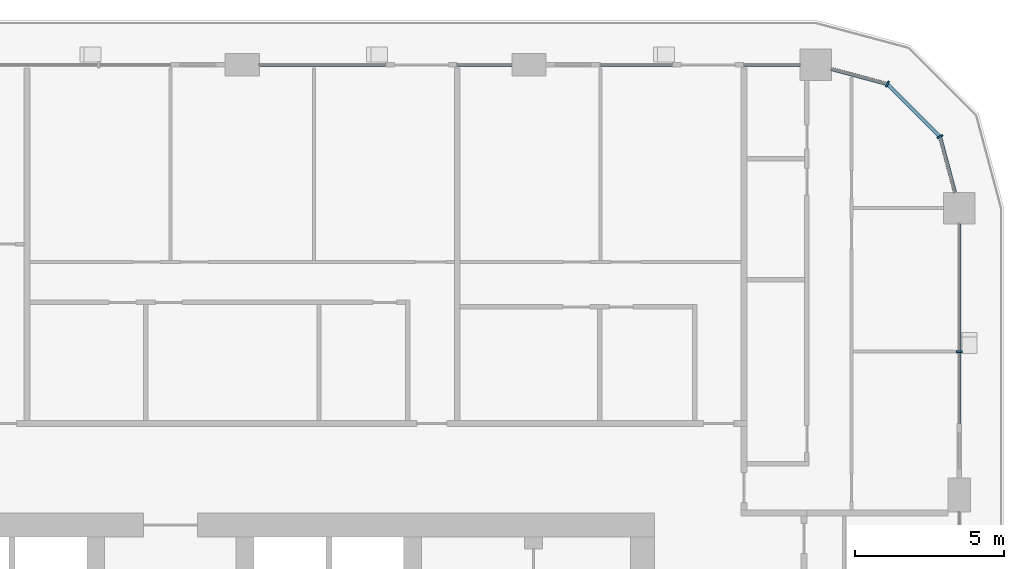
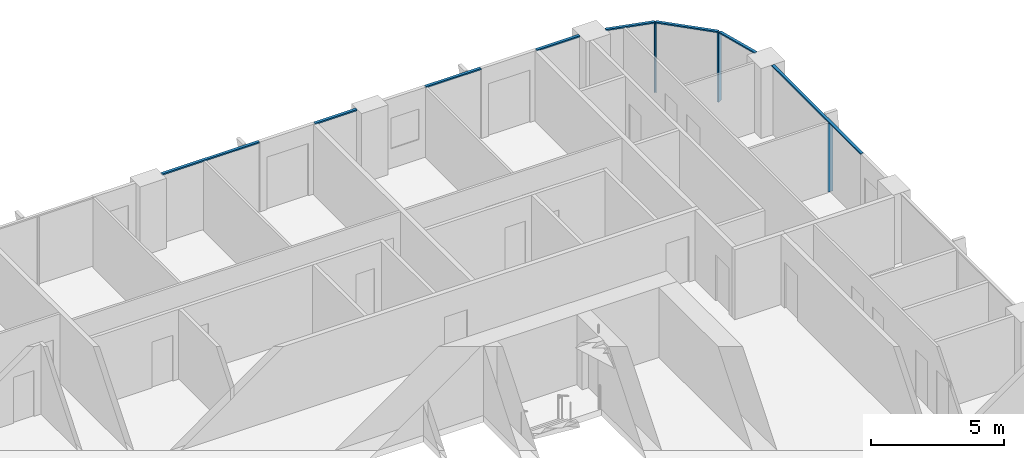
# One storey, part 6 of 22: 11 members, 4 elements without a shape of their own.
"""IFC4 building model written with IfcOpenShell, lengths in metres."""

import ifcopenshell
import ifcopenshell.guid

model = None  # the IFC model being written
_history = None  # IfcOwnerHistory: only IFC2X3 demands one
_inside = {}  # id of a spatial element -> (the spatial element, [elements in it])
_under = {}  # id of a project, library or spatial element -> (it, [spatial elements below it])
_declared = {}  # id of a project -> (the project, [libraries it declares])
_typed = {}  # id of a type object -> (the type object, [elements of that type])
_made_of = {}  # id of a material, layer set ... -> (it, [elements and type objects made of it])


def new_model(schema):
    """Start an empty IFC model of exactly this schema.

    Asked for "IFC4X3", IfcOpenShell would pick the latest addendum, in which some entities
    have other attributes; the version numbers below select the first issue.
    IFC2X3 requires an IfcOwnerHistory on every rooted entity: one is made here for all.
    """
    global model, _history
    if schema == "IFC4X3":
        model = ifcopenshell.file(schema_version=(4, 3, 0, 0))
    else:
        model = ifcopenshell.file(schema=schema)
    _inside.clear()
    _under.clear()
    _declared.clear()
    _typed.clear()
    _made_of.clear()
    _history = None
    if model.schema == "IFC2X3":
        org = make("IfcOrganization", Name="unknown")
        user = make(
            "IfcPersonAndOrganization",
            ThePerson=make("IfcPerson", FamilyName="unknown"),
            TheOrganization=org,
        )
        app = make(
            "IfcApplication",
            ApplicationDeveloper=org,
            Version="unknown",
            ApplicationFullName="unknown",
            ApplicationIdentifier="unknown",
        )
        _history = make(
            "IfcOwnerHistory",
            OwningUser=user,
            OwningApplication=app,
            ChangeAction="ADDED",
            CreationDate=0,
        )
    return model


def make(cls, **values):
    """One entity of the class cls with the attributes given. An attribute that is None is left unset."""
    return model.create_entity(
        cls, **{name: value for name, value in values.items() if value is not None}
    )


def rooted(cls, **values):
    """An entity with a GlobalId (a new one), such as an element, a storey or a relation."""
    return make(cls, GlobalId=ifcopenshell.guid.new(), OwnerHistory=_history, **values)


def si_unit(unit_type, name, prefix=None):
    """IfcSIUnit, for example si_unit("LENGTHUNIT", "METRE", prefix="MILLI")."""
    return make("IfcSIUnit", UnitType=unit_type, Prefix=prefix, Name=name)


def assignment(units):
    """IfcUnitAssignment: the units of a project."""
    return None if units is None else make("IfcUnitAssignment", Units=units)


def point(xyz):
    """IfcCartesianPoint."""
    return None if xyz is None else make("IfcCartesianPoint", Coordinates=xyz)


def direction(xyz):
    """IfcDirection."""
    return None if xyz is None else make("IfcDirection", DirectionRatios=xyz)


def frame(location, z_axis=None, x_axis=None):
    """IfcAxis2Placement3D, a coordinate frame: its origin and axes. An axis left out is left unset."""
    return make(
        "IfcAxis2Placement3D",
        Location=point(location),
        Axis=direction(z_axis),
        RefDirection=direction(x_axis),
    )


def frame_2d(location, x_axis=None):
    """IfcAxis2Placement2D, a coordinate frame in the plane: its origin and x axis."""
    return make(
        "IfcAxis2Placement2D", Location=point(location), RefDirection=direction(x_axis)
    )


def origin():
    """The frame at (0, 0, 0) with its axes left unset."""
    return frame((0.0, 0.0, 0.0))


def origin_2d():
    """The frame at (0, 0) in the plane with its x axis left unset."""
    return frame_2d((0.0, 0.0))


def place(relative_to, where):
    """IfcLocalPlacement: puts the frame where relative to a parent placement (None: the world)."""
    return make(
        "IfcLocalPlacement", PlacementRelTo=relative_to, RelativePlacement=where
    )


def context(
    kind, dimensions, precision=None, world=None, true_north=None, identifier=None
):
    """IfcGeometricRepresentationContext, for example the 3D "Model" context."""
    return make(
        "IfcGeometricRepresentationContext",
        ContextIdentifier=identifier,
        ContextType=kind,
        CoordinateSpaceDimension=dimensions,
        Precision=precision,
        WorldCoordinateSystem=world,
        TrueNorth=true_north,
    )


def subcontext(parent, identifier, kind, view, scale=None):
    """IfcGeometricRepresentationSubContext, for example "Body" below "Model"."""
    return make(
        "IfcGeometricRepresentationSubContext",
        ContextIdentifier=identifier,
        ContextType=kind,
        ParentContext=parent,
        TargetScale=scale,
        TargetView=view,
    )


def project(units=None, contexts=None):
    """IfcProject with its units and contexts."""
    return rooted(
        "IfcProject",
        Name="project",
        RepresentationContexts=contexts,
        UnitsInContext=assignment(units),
    )


def spatial(cls, under=None, at=None, **own):
    """A site, building, storey or space (cls), placed at a placement, below another one or the project."""
    s = rooted(cls, ObjectPlacement=at, **own)
    if under is not None:
        _under.setdefault(under.id(), (under, []))[1].append(s)
    return s


def profile(cls, at=None, kind="AREA", **sizes):
    """A parametric profile (cls). Its sizes go by their IFC names, for example OverallWidth=200.0."""
    return make(cls, ProfileType=kind, Position=at, **sizes)


def rectangle(**sizes):
    """IfcRectangleProfileDef."""
    return profile("IfcRectangleProfileDef", **sizes)


def extrude(swept, where, along, depth):
    """IfcExtrudedAreaSolid: the profile swept, set in the frame where, extruded along a direction by depth."""
    return make(
        "IfcExtrudedAreaSolid",
        SweptArea=swept,
        Position=where,
        ExtrudedDirection=direction(along),
        Depth=depth,
    )


def shape(context_of_items, identifier, shape_type, items):
    """IfcShapeRepresentation: the items that make up one representation, for example the "Body"."""
    return make(
        "IfcShapeRepresentation",
        ContextOfItems=context_of_items,
        RepresentationIdentifier=identifier,
        RepresentationType=shape_type,
        Items=items,
    )


def material(Name=None, Category=None):
    """IfcMaterial."""
    return make("IfcMaterial", Name=Name, Category=Category)


def layer(
    of_material, thickness, ventilated=None, Name=None, Category=None, Priority=None
):
    """IfcMaterialLayer: one layer of a wall or slab, of a material (None: an air gap)."""
    return make(
        "IfcMaterialLayer",
        Material=of_material,
        LayerThickness=thickness,
        IsVentilated=ventilated,
        Name=Name,
        Category=Category,
        Priority=Priority,
    )


def layer_set(layers, Name=None):
    """IfcMaterialLayerSet."""
    return make("IfcMaterialLayerSet", MaterialLayers=layers, LayerSetName=Name)


def material_profile(
    of_material, cross_section, Name=None, Category=None, Priority=None
):
    """IfcMaterialProfile: a cross section and its material."""
    return make(
        "IfcMaterialProfile",
        Name=Name,
        Material=of_material,
        Profile=cross_section,
        Priority=Priority,
        Category=Category,
    )


def profile_set(profiles, Name=None, composite=None):
    """IfcMaterialProfileSet."""
    return make(
        "IfcMaterialProfileSet",
        Name=Name,
        MaterialProfiles=profiles,
        CompositeProfile=composite,
    )


def made_of(thing, what):
    """Note that an element or type object is made of a material, layer set ...; save() writes the relation."""
    if what is not None:
        _made_of.setdefault(what.id(), (what, []))[1].append(thing)
    return thing


def type_object(cls, material=None, **own):
    """A type object (cls), such as IfcWallType, which elements share."""
    return made_of(rooted(cls, **own), material)


def element(
    cls,
    number,
    at=None,
    inside=None,
    cuts=None,
    type_object=None,
    material=None,
    context=None,
    identifier="Body",
    shape_type=None,
    held_by="IfcProductDefinitionShape",
    body=None,
    shapes=None,
    **own,
):
    """One element of the class cls, such as IfcWall. Its Tag is "e" and its number.

    at: its placement. inside: the storey or other place that contains it. cuts: it is an
    opening in that element (IfcRelVoidsElement). A single representation is given by context,
    identifier, shape_type and body (its items); several are given by shapes. held_by: the class
    of the entity that holds the representations. save() writes the other relations.
    """
    e = rooted(cls, Tag="e%d" % number, ObjectPlacement=at, **own)
    if body is not None:
        shapes = [shape(context, identifier, shape_type, body)]
    if shapes is not None:
        e.Representation = make(held_by, Representations=shapes)
    if inside is not None:
        _inside.setdefault(inside.id(), (inside, []))[1].append(e)
    if cuts is not None:
        rooted(
            "IfcRelVoidsElement", RelatingBuildingElement=cuts, RelatedOpeningElement=e
        )
    if type_object is not None:
        _typed.setdefault(type_object.id(), (type_object, []))[1].append(e)
    return made_of(e, material)


def aggregate(whole, parts):
    """IfcRelAggregates: a whole, such as a stair, and the parts it consists of."""
    return rooted("IfcRelAggregates", RelatingObject=whole, RelatedObjects=parts)


def save(model, path):
    """Write the relations noted so far, then the file.

    IfcRelAggregates (storeys below a building ...), IfcRelContainedInSpatialStructure (elements
    in a storey), IfcRelDefinesByType, IfcRelAssociatesMaterial and IfcRelDeclares: one each for
    every whole, place, type object, material and project.
    """
    for whole, parts in _under.values():
        aggregate(whole, parts)
    for where, things in _inside.values():
        rooted(
            "IfcRelContainedInSpatialStructure",
            RelatedElements=things,
            RelatingStructure=where,
        )
    for kind, things in _typed.values():
        rooted("IfcRelDefinesByType", RelatedObjects=things, RelatingType=kind)
    for what, things in _made_of.values():
        rooted("IfcRelAssociatesMaterial", RelatedObjects=things, RelatingMaterial=what)
    for by, libraries in _declared.values():
        rooted("IfcRelDeclares", RelatingContext=by, RelatedDefinitions=libraries)
    model.write(path)


model = new_model("IFC4")

# Units and contexts
model_context = context("Model", 3, precision=1e-05, world=origin(), true_north=direction((0.0, 1.0)))
body_context = subcontext(model_context, "Body", "Model", "MODEL_VIEW")
ifc_project = project(units=[si_unit("LENGTHUNIT", "METRE"), si_unit("AREAUNIT", "SQUARE_METRE"), si_unit("VOLUMEUNIT", "CUBIC_METRE"), si_unit("PLANEANGLEUNIT", "RADIAN"), si_unit("MASSUNIT", "GRAM", prefix="KILO")], contexts=[model_context])

# Site, building, storey
site_placement = place(None, origin())
site = spatial("IfcSite", under=ifc_project, at=site_placement, CompositionType="ELEMENT")
building_placement = place(site_placement, origin())
building = spatial("IfcBuilding", under=site, at=building_placement, Name="Madar Terraces", CompositionType="ELEMENT")
storey_placement = place(building_placement, frame((0.0, 0.0, 122.60009765625)))
storey = spatial("IfcBuildingStorey", under=building, at=storey_placement, Name="L31", CompositionType="ELEMENT", Elevation=122.60009765625)

# Curtain wall, member
ifc_material_1 = material(Name="Glass, ceramic frit dark grey, with black aluminium frame", Category="aluminium")
ifc_layer = layer(ifc_material_1, 0.199951171875)
ifc_layer_set = layer_set([ifc_layer], Name="Facade curtain wall, fritted glass")
curtain_wall_type = type_object("IfcCurtainWallType", Name="Facade curtain wall, fritted glass", PredefinedType="NOTDEFINED", material=ifc_layer_set)
curtain_wall_1_placement = place(storey_placement, origin())
curtain_wall_1 = element("IfcCurtainWall", 1, at=curtain_wall_1_placement, inside=storey, type_object=curtain_wall_type, Name="Outer skin curtain wall east bay 4", PredefinedType="NOTDEFINED")
ifc_material_2 = material(Name="Aluminium, black anodised", Category="aluminium")
ifc_material_profile_1 = material_profile(ifc_material_2, rectangle(XDim=0.199951171875, YDim=0.06005859375, at=origin_2d()), Name="Facade mullion 60x200")
ifc_profile_set_1 = profile_set([ifc_material_profile_1], Name="Aluminium, black anodised")
member_type_1 = type_object("IfcMemberType", Name="Facade mullion 60x200", PredefinedType="MULLION", material=ifc_profile_set_1)
member_1_placement = place(storey_placement, frame((57.60009765625, 43.199951171875, 0.0), z_axis=(0.0, 0.0, 1.0), x_axis=(-1.0, 0.0, 0.0)))
member_1 = element("IfcMember", 2, at=member_1_placement, type_object=member_type_1, Name="Mullion 1", PredefinedType="MULLION", context=body_context, shape_type="SweptSolid", body=[
    extrude(rectangle(XDim=0.199951171875, YDim=0.06005859375, at=origin_2d()), origin(), (0.0, 0.0, 1.0), 3.139892578125),
])

# Curtain wall, members
curtain_wall_2_placement = place(storey_placement, origin())
curtain_wall_2 = element("IfcCurtainWall", 3, at=curtain_wall_2_placement, inside=storey, type_object=curtain_wall_type, Name="Outer skin curtain wall north-east corner", PredefinedType="NOTDEFINED")
member_2_placement = place(storey_placement, frame((56.95703125, 50.39990234375, 0.0), z_axis=(0.0, 0.0, 1.0), x_axis=(-0.866025409797, -0.499999989586, 0.0)))
member_2 = element("IfcMember", 4, at=member_2_placement, type_object=member_type_1, Name="Mullion 1", PredefinedType="MULLION", context=body_context, shape_type="SweptSolid", body=[
    extrude(rectangle(XDim=0.199951171875, YDim=0.06005859375, at=origin_2d()), origin(), (0.0, 0.0, 1.0), 3.139892578125),
])
member_3_placement = place(storey_placement, frame((55.199951171875, 52.156982421875, 0.0), z_axis=(0.0, 0.0, 1.0), x_axis=(-0.499999989586, -0.866025409797, 0.0)))
member_3 = element("IfcMember", 5, at=member_3_placement, type_object=member_type_1, Name="Mullion 2", PredefinedType="MULLION", context=body_context, shape_type="SweptSolid", body=[
    extrude(rectangle(XDim=0.199951171875, YDim=0.06005859375, at=origin_2d()), origin(), (0.0, 0.0, 1.0), 3.139892578125),
])

# Member
ifc_material_3 = material(Name="Aluminium, black anodised", Category="aluminium")
ifc_material_profile_2 = material_profile(ifc_material_3, rectangle(XDim=0.1201171875, YDim=0.06005859375, at=origin_2d()), Name="Facade transom 60x120")
ifc_profile_set_2 = profile_set([ifc_material_profile_2], Name="Aluminium, black anodised")
member_type_2 = type_object("IfcMemberType", Name="Facade transom 60x120", PredefinedType="USERDEFINED", material=ifc_profile_set_2)
member_4_placement = place(storey_placement, frame((57.60009765625, 40.800048828125, 3.169921875), z_axis=(0.0, 1.0, 0.0), x_axis=(-1.0, 0.0, 0.0)))
member_4 = element("IfcMember", 6, at=member_4_placement, type_object=member_type_2, Name="Transom 1", ObjectType="TRANSOM", PredefinedType="USERDEFINED", context=body_context, shape_type="SweptSolid", body=[
    extrude(rectangle(XDim=0.1201171875, YDim=0.06005859375, at=origin_2d()), origin(), (0.0, 0.0, 1.0), 6.675048828125),
])

aggregate(curtain_wall_1, [member_1, member_4])

# Curtain wall, members
curtain_wall_3_placement = place(storey_placement, origin())
curtain_wall_3 = element("IfcCurtainWall", 7, at=curtain_wall_3_placement, inside=storey, type_object=curtain_wall_type, Name="Outer skin curtain wall north bay 1", PredefinedType="NOTDEFINED")
member_5_placement = place(storey_placement, frame((52.27490234375, 52.800048828125, 3.169921875), z_axis=(-1.0, 0.0, 0.0), x_axis=(0.0, -1.0, 0.0)))
member_5 = element("IfcMember", 8, at=member_5_placement, type_object=member_type_2, Name="Transom 1", ObjectType="TRANSOM", PredefinedType="USERDEFINED", context=body_context, shape_type="SweptSolid", body=[
    extrude(rectangle(XDim=0.1201171875, YDim=0.06005859375, at=origin_2d()), origin(), (0.0, 0.0, 1.0), 1.875),
])
member_6_placement = place(storey_placement, frame((48.0, 52.800048828125, 3.169921875), z_axis=(-1.0, 0.0, 0.0), x_axis=(0.0, -1.0, 0.0)))
member_6 = element("IfcMember", 9, at=member_6_placement, type_object=member_type_2, Name="Transom 2", ObjectType="TRANSOM", PredefinedType="USERDEFINED", context=body_context, shape_type="SweptSolid", body=[
    extrude(rectangle(XDim=0.1201171875, YDim=0.06005859375, at=origin_2d()), origin(), (0.0, 0.0, 1.0), 2.39990234375),
])
aggregate(curtain_wall_3, [member_5, member_6])

curtain_wall_4_placement = place(storey_placement, origin())
curtain_wall_4 = element("IfcCurtainWall", 10, at=curtain_wall_4_placement, inside=storey, type_object=curtain_wall_type, Name="Outer skin curtain wall north bay 2", PredefinedType="NOTDEFINED")
member_7_placement = place(storey_placement, frame((42.625, 52.800048828125, 3.169921875), z_axis=(-1.0, 0.0, 0.0), x_axis=(0.0, -1.0, 0.0)))
member_7 = element("IfcMember", 11, at=member_7_placement, type_object=member_type_2, Name="Transom 1", ObjectType="TRANSOM", PredefinedType="USERDEFINED", context=body_context, shape_type="SweptSolid", body=[
    extrude(rectangle(XDim=0.1201171875, YDim=0.06005859375, at=origin_2d()), origin(), (0.0, 0.0, 1.0), 1.824951171875),
])
member_8_placement = place(storey_placement, frame((38.39990234375, 52.800048828125, 3.169921875), z_axis=(-1.0, 0.0, 0.0), x_axis=(0.0, -1.0, 0.0)))
member_8 = element("IfcMember", 12, at=member_8_placement, type_object=member_type_2, Name="Transom 2", ObjectType="TRANSOM", PredefinedType="USERDEFINED", context=body_context, shape_type="SweptSolid", body=[
    extrude(rectangle(XDim=0.1201171875, YDim=0.06005859375, at=origin_2d()), origin(), (0.0, 0.0, 1.0), 4.224853515625),
])
aggregate(curtain_wall_4, [member_7, member_8])

# Member
member_9_placement = place(storey_placement, frame((57.459228515625, 48.52490234375, 3.169921875), z_axis=(-0.25879142023, 0.965933227928, 0.0), x_axis=(-0.965933227928, -0.25879142023, 0.0)))
member_9 = element("IfcMember", 13, at=member_9_placement, type_object=member_type_2, Name="Transom 1", ObjectType="TRANSOM", PredefinedType="USERDEFINED", context=body_context, shape_type="SweptSolid", body=[
    extrude(rectangle(XDim=0.1201171875, YDim=0.06005859375, at=origin_2d()), origin(), (0.0, 0.0, 1.0), 1.911376953125),
])

member_10_placement = place(storey_placement, frame((56.935791015625, 50.421142578125, 3.169921875), z_axis=(-0.707106781187, 0.707106781187, 0.0), x_axis=(-0.707106781187, -0.707106781187, 0.0)))
member_10 = element("IfcMember", 14, at=member_10_placement, type_object=member_type_2, Name="Transom 2", ObjectType="TRANSOM", PredefinedType="USERDEFINED", context=body_context, shape_type="SweptSolid", body=[
    extrude(rectangle(XDim=0.1201171875, YDim=0.06005859375, at=origin_2d()), origin(), (0.0, 0.0, 1.0), 2.4248046875),
])

member_11_placement = place(storey_placement, frame((55.171142578125, 52.164794921875, 3.169921875), z_axis=(-0.965933227928, 0.25879142023, 0.0), x_axis=(-0.25879142023, -0.965933227928, 0.0)))
member_11 = element("IfcMember", 15, at=member_11_placement, type_object=member_type_2, Name="Transom 3", ObjectType="TRANSOM", PredefinedType="USERDEFINED", context=body_context, shape_type="SweptSolid", body=[
    extrude(rectangle(XDim=0.1201171875, YDim=0.06005859375, at=origin_2d()), origin(), (0.0, 0.0, 1.0), 1.911376953125),
])

aggregate(curtain_wall_2, [member_2, member_9, member_3, member_10, member_11])

save(model, "model.ifc")
